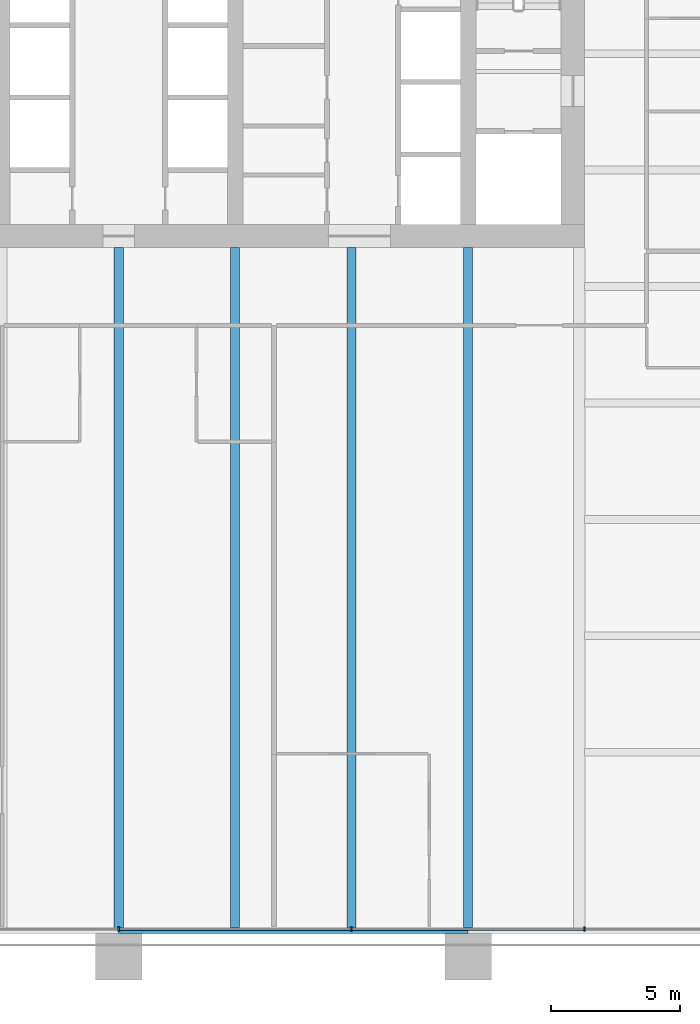
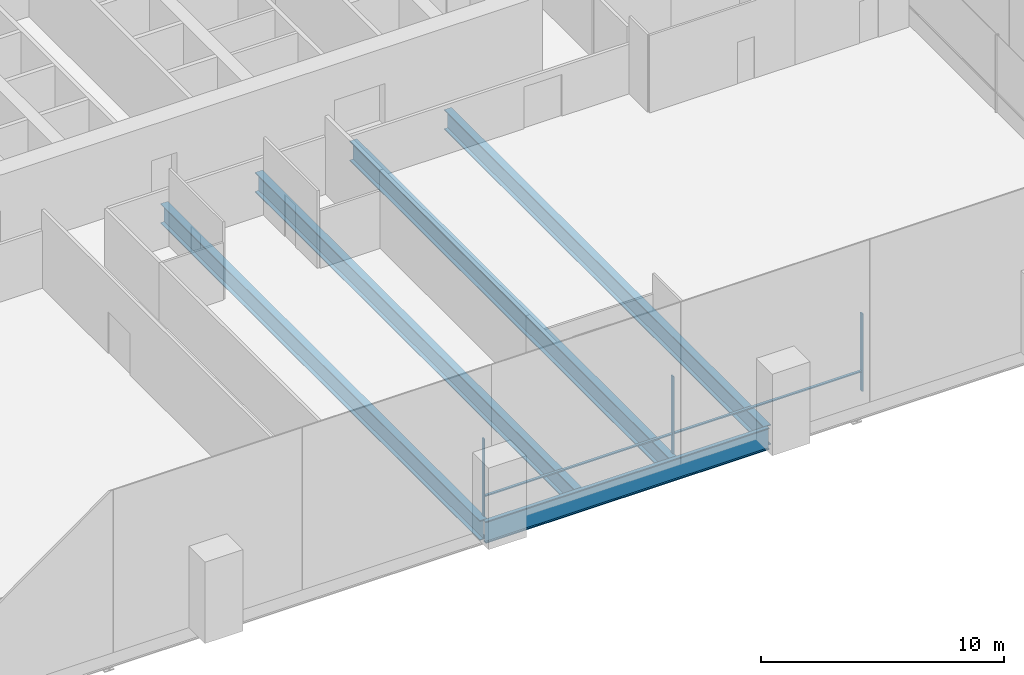
# One storey, part 5 of 17: 5 beams, 5 members, 1 element without a shape of its own.
"""IFC4 building model written with IfcOpenShell, lengths in metres."""

from ifc_helpers import new_model, si_unit, direction, frame, origin, origin_2d, place, context, subcontext, project, spatial, rectangle, i_section, extrude, material, material_profile, profile_set, type_object, element, aggregate, save


model = new_model("IFC4")

# Units and contexts
model_context = context("Model", 3, precision=1e-05, world=origin(), true_north=direction((0.0, 1.0)))
body_context = subcontext(model_context, "Body", "Model", "MODEL_VIEW")
ifc_project = project(units=[si_unit("LENGTHUNIT", "METRE"), si_unit("AREAUNIT", "SQUARE_METRE"), si_unit("VOLUMEUNIT", "CUBIC_METRE"), si_unit("PLANEANGLEUNIT", "RADIAN"), si_unit("MASSUNIT", "GRAM", prefix="KILO")], contexts=[model_context])

# Site, building, storey
site_placement = place(None, origin())
site = spatial("IfcSite", under=ifc_project, at=site_placement, CompositionType="ELEMENT")
building_placement = place(site_placement, origin())
building = spatial("IfcBuilding", under=site, at=building_placement, Name="Rattan Terrace Tower", CompositionType="ELEMENT")
storey_placement = place(building_placement, frame((0.0, 0.0, 44.699951171875)))
storey = spatial("IfcBuildingStorey", under=building, at=storey_placement, Name="L09", CompositionType="ELEMENT", Elevation=44.699951171875)

# Curtain wall, members
ifc_material_1 = material(Name="Aluminium and glass", Category="aluminium")
curtain_wall_type = type_object("IfcCurtainWallType", Name="Facade Unitised Curtain Wall", PredefinedType="NOTDEFINED", material=ifc_material_1)
curtain_wall_placement = place(storey_placement, origin())
curtain_wall = element("IfcCurtainWall", 1, at=curtain_wall_placement, inside=storey, type_object=curtain_wall_type, Name="Curtain wall L09-4", PredefinedType="NOTDEFINED")
ifc_material_2 = material(Name="Aluminium", Category="aluminium")
ifc_material_profile_1 = material_profile(ifc_material_2, rectangle(XDim=0.06005859375, YDim=0.159912109375, at=origin_2d()), Name="Aluminium 60x160")
ifc_profile_set_1 = profile_set([ifc_material_profile_1], Name="Aluminium")
member_type_1 = type_object("IfcMemberType", Name="Facade CW Mullion 60x160", PredefinedType="MULLION", material=ifc_profile_set_1)
member_1_placement = place(storey_placement, frame((0.0, -33.830078125, 0.0), z_axis=(0.0, 0.0, 1.0), x_axis=(1.0, 0.0, 0.0)))
member_1 = element("IfcMember", 2, at=member_1_placement, type_object=member_type_1, Name="Mullion cwl-L09-004.4", PredefinedType="MULLION", context=body_context, shape_type="SweptSolid", body=[
    extrude(rectangle(XDim=0.06005859375, YDim=0.159912109375, at=origin_2d()), origin(), (0.0, 0.0, 1.0), 3.900146484375),
])
member_2_placement = place(storey_placement, frame((9.0, -33.830078125, 0.0), z_axis=(0.0, 0.0, 1.0), x_axis=(1.0, 0.0, 0.0)))
member_2 = element("IfcMember", 3, at=member_2_placement, type_object=member_type_1, Name="Mullion cwl-L09-004.5", PredefinedType="MULLION", context=body_context, shape_type="SweptSolid", body=[
    extrude(rectangle(XDim=0.06005859375, YDim=0.159912109375, at=origin_2d()), origin(), (0.0, 0.0, 1.0), 3.900146484375),
])
member_3_placement = place(storey_placement, frame((18.0, -33.830078125, 0.0), z_axis=(0.0, 0.0, 1.0), x_axis=(1.0, 0.0, 0.0)))
member_3 = element("IfcMember", 4, at=member_3_placement, type_object=member_type_1, Name="Mullion cwl-L09-004.6", PredefinedType="MULLION", context=body_context, shape_type="SweptSolid", body=[
    extrude(rectangle(XDim=0.06005859375, YDim=0.159912109375, at=origin_2d()), origin(), (0.0, 0.0, 1.0), 3.900146484375),
])
ifc_material_3 = material(Name="Aluminium", Category="aluminium")
ifc_material_profile_2 = material_profile(ifc_material_3, rectangle(XDim=0.1201171875, YDim=0.06005859375, at=origin_2d()), Name="Aluminium 120x60")
ifc_profile_set_2 = profile_set([ifc_material_profile_2], Name="Aluminium")
member_type_2 = type_object("IfcMemberType", Name="Facade CW Transom 120x60", PredefinedType="USERDEFINED", material=ifc_profile_set_2)
member_4_placement = place(storey_placement, frame((0.030029296875, -33.830078125, 1.0), z_axis=(1.0, 0.0, 0.0), x_axis=(0.0, 1.0, 0.0)))
member_4 = element("IfcMember", 5, at=member_4_placement, type_object=member_type_2, Name="Transom cwl-L09-004.4", ObjectType="TRANSOM", PredefinedType="USERDEFINED", context=body_context, shape_type="SweptSolid", body=[
    extrude(rectangle(XDim=0.1201171875, YDim=0.06005859375, at=origin_2d()), origin(), (0.0, 0.0, 1.0), 8.93994140625),
])
member_5_placement = place(storey_placement, frame((9.030029296875, -33.830078125, 1.0), z_axis=(1.0, 0.0, 0.0), x_axis=(0.0, 1.0, 0.0)))
member_5 = element("IfcMember", 6, at=member_5_placement, type_object=member_type_2, Name="Transom cwl-L09-004.5", ObjectType="TRANSOM", PredefinedType="USERDEFINED", context=body_context, shape_type="SweptSolid", body=[
    extrude(rectangle(XDim=0.1201171875, YDim=0.06005859375, at=origin_2d()), origin(), (0.0, 0.0, 1.0), 8.93994140625),
])
aggregate(curtain_wall, [member_1, member_2, member_3, member_4, member_5])

# Beams
ifc_material_4 = material(Name="Steel S460", Category="steel")
ifc_material_profile_3 = material_profile(ifc_material_4, i_section(OverallWidth=0.179931640625, OverallDepth=1.10009765625, WebThickness=0.01611328125, FlangeThickness=0.050048828125, at=origin_2d()), Name="PG 1100x180-16-50")
ifc_profile_set_3 = profile_set([ifc_material_profile_3], Name="Steel S460")
beam_type_1 = type_object("IfcBeamType", Name="Frame edge girder PG 1100x180-16-50", PredefinedType="SPANDREL", material=ifc_profile_set_3)
beam_placement = place(storey_placement, frame((0.0, -33.909912109375, -0.75), z_axis=(1.0, 0.0, 0.0), x_axis=(0.0, 1.0, 0.0)))
element("IfcBeam", 7, at=beam_placement, inside=storey, type_object=beam_type_1, Name="gdr-L09-003", PredefinedType="SPANDREL", context=body_context, shape_type="SweptSolid", body=[
    extrude(i_section(OverallWidth=0.179931640625, OverallDepth=1.10009765625, WebThickness=0.01611328125, FlangeThickness=0.050048828125, at=origin_2d()), origin(), (0.0, 0.0, 1.0), 13.5),
])
ifc_material_5 = material(Name="Steel S460", Category="steel")
ifc_material_profile_4 = material_profile(ifc_material_5, i_section(OverallWidth=0.35009765625, OverallDepth=1.0, WebThickness=0.01611328125, FlangeThickness=0.044921875, at=origin_2d()), Name="PG 1000x350-16-45")
ifc_profile_set_4 = profile_set([ifc_material_profile_4], Name="Steel S460")
beam_type_2 = type_object("IfcBeamType", Name="Frame floor beam PG 1000x350-16-45", PredefinedType="JOIST", material=ifc_profile_set_4)
for number, where, z_axis, x_axis, name in (
    (8, (0.0, -33.820068359375, -0.699951171875), (0.0, 1.0, 0.0), (-1.0, 0.0, 0.0), "bm-L09-006"),
    (9, (4.5, -33.820068359375, -0.699951171875), (0.0, 1.0, 0.0), (-1.0, 0.0, 0.0), "bm-L09-007"),
    (10, (9.0, -33.820068359375, -0.699951171875), (0.0, 1.0, 0.0), (-1.0, 0.0, 0.0), "bm-L09-008"),
    (11, (13.5, -33.820068359375, -0.699951171875), (0.0, 1.0, 0.0), (-1.0, 0.0, 0.0), "bm-L09-009"),
):
    element("IfcBeam", number, at=place(storey_placement, frame(where, z_axis=z_axis, x_axis=x_axis)), inside=storey, type_object=beam_type_2, Name=name, PredefinedType="JOIST", context=body_context, shape_type="SweptSolid", body=[
        extrude(i_section(OverallWidth=0.35009765625, OverallDepth=1.0, WebThickness=0.01611328125, FlangeThickness=0.044921875, at=origin_2d()), origin(), (0.0, 0.0, 1.0), 26.320068359375),
    ])

save(model, "model.ifc")
